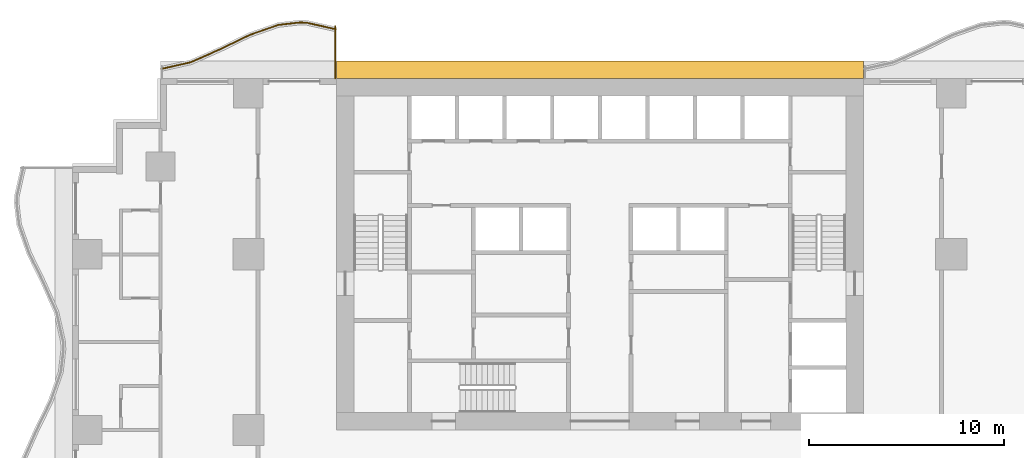
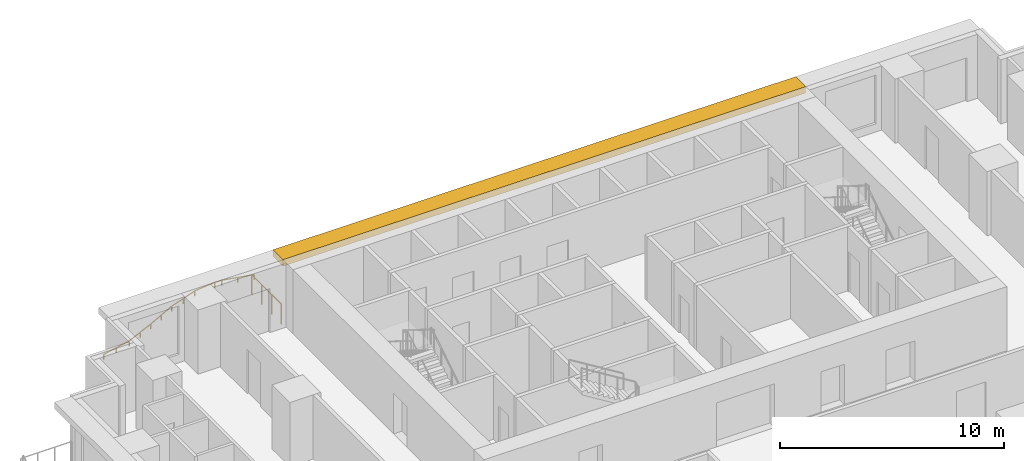
# One storey, part 13 of 14: 2 railings, 1 shading device.
"""IFC4 building model written with IfcOpenShell, lengths in metres."""

import ifcopenshell
import ifcopenshell.guid

model = None  # the IFC model being written
_history = None  # IfcOwnerHistory: only IFC2X3 demands one
_inside = {}  # id of a spatial element -> (the spatial element, [elements in it])
_under = {}  # id of a project, library or spatial element -> (it, [spatial elements below it])
_declared = {}  # id of a project -> (the project, [libraries it declares])
_typed = {}  # id of a type object -> (the type object, [elements of that type])
_made_of = {}  # id of a material, layer set ... -> (it, [elements and type objects made of it])


def new_model(schema):
    """Start an empty IFC model of exactly this schema.

    Asked for "IFC4X3", IfcOpenShell would pick the latest addendum, in which some entities
    have other attributes; the version numbers below select the first issue.
    IFC2X3 requires an IfcOwnerHistory on every rooted entity: one is made here for all.
    """
    global model, _history
    if schema == "IFC4X3":
        model = ifcopenshell.file(schema_version=(4, 3, 0, 0))
    else:
        model = ifcopenshell.file(schema=schema)
    _inside.clear()
    _under.clear()
    _declared.clear()
    _typed.clear()
    _made_of.clear()
    _history = None
    if model.schema == "IFC2X3":
        org = make("IfcOrganization", Name="unknown")
        user = make(
            "IfcPersonAndOrganization",
            ThePerson=make("IfcPerson", FamilyName="unknown"),
            TheOrganization=org,
        )
        app = make(
            "IfcApplication",
            ApplicationDeveloper=org,
            Version="unknown",
            ApplicationFullName="unknown",
            ApplicationIdentifier="unknown",
        )
        _history = make(
            "IfcOwnerHistory",
            OwningUser=user,
            OwningApplication=app,
            ChangeAction="ADDED",
            CreationDate=0,
        )
    return model


def make(cls, **values):
    """One entity of the class cls with the attributes given. An attribute that is None is left unset."""
    return model.create_entity(
        cls, **{name: value for name, value in values.items() if value is not None}
    )


def rooted(cls, **values):
    """An entity with a GlobalId (a new one), such as an element, a storey or a relation."""
    return make(cls, GlobalId=ifcopenshell.guid.new(), OwnerHistory=_history, **values)


def si_unit(unit_type, name, prefix=None):
    """IfcSIUnit, for example si_unit("LENGTHUNIT", "METRE", prefix="MILLI")."""
    return make("IfcSIUnit", UnitType=unit_type, Prefix=prefix, Name=name)


def assignment(units):
    """IfcUnitAssignment: the units of a project."""
    return None if units is None else make("IfcUnitAssignment", Units=units)


def point(xyz):
    """IfcCartesianPoint."""
    return None if xyz is None else make("IfcCartesianPoint", Coordinates=xyz)


def direction(xyz):
    """IfcDirection."""
    return None if xyz is None else make("IfcDirection", DirectionRatios=xyz)


def frame(location, z_axis=None, x_axis=None):
    """IfcAxis2Placement3D, a coordinate frame: its origin and axes. An axis left out is left unset."""
    return make(
        "IfcAxis2Placement3D",
        Location=point(location),
        Axis=direction(z_axis),
        RefDirection=direction(x_axis),
    )


def frame_2d(location, x_axis=None):
    """IfcAxis2Placement2D, a coordinate frame in the plane: its origin and x axis."""
    return make(
        "IfcAxis2Placement2D", Location=point(location), RefDirection=direction(x_axis)
    )


def origin():
    """The frame at (0, 0, 0) with its axes left unset."""
    return frame((0.0, 0.0, 0.0))


def origin_2d():
    """The frame at (0, 0) in the plane with its x axis left unset."""
    return frame_2d((0.0, 0.0))


def place(relative_to, where):
    """IfcLocalPlacement: puts the frame where relative to a parent placement (None: the world)."""
    return make(
        "IfcLocalPlacement", PlacementRelTo=relative_to, RelativePlacement=where
    )


def context(
    kind, dimensions, precision=None, world=None, true_north=None, identifier=None
):
    """IfcGeometricRepresentationContext, for example the 3D "Model" context."""
    return make(
        "IfcGeometricRepresentationContext",
        ContextIdentifier=identifier,
        ContextType=kind,
        CoordinateSpaceDimension=dimensions,
        Precision=precision,
        WorldCoordinateSystem=world,
        TrueNorth=true_north,
    )


def subcontext(parent, identifier, kind, view, scale=None):
    """IfcGeometricRepresentationSubContext, for example "Body" below "Model"."""
    return make(
        "IfcGeometricRepresentationSubContext",
        ContextIdentifier=identifier,
        ContextType=kind,
        ParentContext=parent,
        TargetScale=scale,
        TargetView=view,
    )


def project(units=None, contexts=None):
    """IfcProject with its units and contexts."""
    return rooted(
        "IfcProject",
        Name="project",
        RepresentationContexts=contexts,
        UnitsInContext=assignment(units),
    )


def spatial(cls, under=None, at=None, **own):
    """A site, building, storey or space (cls), placed at a placement, below another one or the project."""
    s = rooted(cls, ObjectPlacement=at, **own)
    if under is not None:
        _under.setdefault(under.id(), (under, []))[1].append(s)
    return s


def polyline(points):
    """IfcPolyline through the points."""
    return make("IfcPolyline", Points=[point(p) for p in points])


def profile(cls, at=None, kind="AREA", **sizes):
    """A parametric profile (cls). Its sizes go by their IFC names, for example OverallWidth=200.0."""
    return make(cls, ProfileType=kind, Position=at, **sizes)


def rectangle(**sizes):
    """IfcRectangleProfileDef."""
    return profile("IfcRectangleProfileDef", **sizes)


def outline(outer, holes=None, kind="AREA"):
    """IfcArbitraryClosedProfileDef: a profile drawn as a closed curve; with holes, ...WithVoids."""
    if holes is None:
        return make("IfcArbitraryClosedProfileDef", ProfileType=kind, OuterCurve=outer)
    return make(
        "IfcArbitraryProfileDefWithVoids",
        ProfileType=kind,
        OuterCurve=outer,
        InnerCurves=holes,
    )


def extrude(swept, where, along, depth):
    """IfcExtrudedAreaSolid: the profile swept, set in the frame where, extruded along a direction by depth."""
    return make(
        "IfcExtrudedAreaSolid",
        SweptArea=swept,
        Position=where,
        ExtrudedDirection=direction(along),
        Depth=depth,
    )


def shape(context_of_items, identifier, shape_type, items):
    """IfcShapeRepresentation: the items that make up one representation, for example the "Body"."""
    return make(
        "IfcShapeRepresentation",
        ContextOfItems=context_of_items,
        RepresentationIdentifier=identifier,
        RepresentationType=shape_type,
        Items=items,
    )


def material(Name=None, Category=None):
    """IfcMaterial."""
    return make("IfcMaterial", Name=Name, Category=Category)


def layer(
    of_material, thickness, ventilated=None, Name=None, Category=None, Priority=None
):
    """IfcMaterialLayer: one layer of a wall or slab, of a material (None: an air gap)."""
    return make(
        "IfcMaterialLayer",
        Material=of_material,
        LayerThickness=thickness,
        IsVentilated=ventilated,
        Name=Name,
        Category=Category,
        Priority=Priority,
    )


def layer_set(layers, Name=None):
    """IfcMaterialLayerSet."""
    return make("IfcMaterialLayerSet", MaterialLayers=layers, LayerSetName=Name)


def made_of(thing, what):
    """Note that an element or type object is made of a material, layer set ...; save() writes the relation."""
    if what is not None:
        _made_of.setdefault(what.id(), (what, []))[1].append(thing)
    return thing


def type_object(cls, material=None, **own):
    """A type object (cls), such as IfcWallType, which elements share."""
    return made_of(rooted(cls, **own), material)


def element(
    cls,
    number,
    at=None,
    inside=None,
    cuts=None,
    type_object=None,
    material=None,
    context=None,
    identifier="Body",
    shape_type=None,
    held_by="IfcProductDefinitionShape",
    body=None,
    shapes=None,
    **own,
):
    """One element of the class cls, such as IfcWall. Its Tag is "e" and its number.

    at: its placement. inside: the storey or other place that contains it. cuts: it is an
    opening in that element (IfcRelVoidsElement). A single representation is given by context,
    identifier, shape_type and body (its items); several are given by shapes. held_by: the class
    of the entity that holds the representations. save() writes the other relations.
    """
    e = rooted(cls, Tag="e%d" % number, ObjectPlacement=at, **own)
    if body is not None:
        shapes = [shape(context, identifier, shape_type, body)]
    if shapes is not None:
        e.Representation = make(held_by, Representations=shapes)
    if inside is not None:
        _inside.setdefault(inside.id(), (inside, []))[1].append(e)
    if cuts is not None:
        rooted(
            "IfcRelVoidsElement", RelatingBuildingElement=cuts, RelatedOpeningElement=e
        )
    if type_object is not None:
        _typed.setdefault(type_object.id(), (type_object, []))[1].append(e)
    return made_of(e, material)


def aggregate(whole, parts):
    """IfcRelAggregates: a whole, such as a stair, and the parts it consists of."""
    return rooted("IfcRelAggregates", RelatingObject=whole, RelatedObjects=parts)


def save(model, path):
    """Write the relations noted so far, then the file.

    IfcRelAggregates (storeys below a building ...), IfcRelContainedInSpatialStructure (elements
    in a storey), IfcRelDefinesByType, IfcRelAssociatesMaterial and IfcRelDeclares: one each for
    every whole, place, type object, material and project.
    """
    for whole, parts in _under.values():
        aggregate(whole, parts)
    for where, things in _inside.values():
        rooted(
            "IfcRelContainedInSpatialStructure",
            RelatedElements=things,
            RelatingStructure=where,
        )
    for kind, things in _typed.values():
        rooted("IfcRelDefinesByType", RelatedObjects=things, RelatingType=kind)
    for what, things in _made_of.values():
        rooted("IfcRelAssociatesMaterial", RelatedObjects=things, RelatingMaterial=what)
    for by, libraries in _declared.values():
        rooted("IfcRelDeclares", RelatingContext=by, RelatedDefinitions=libraries)
    model.write(path)


model = new_model("IFC4")

# Units and contexts
model_context = context("Model", 3, precision=1e-05, world=origin(), true_north=direction((0.0, 1.0)))
body_context = subcontext(model_context, "Body", "Model", "MODEL_VIEW")
ifc_project = project(units=[si_unit("LENGTHUNIT", "METRE"), si_unit("AREAUNIT", "SQUARE_METRE"), si_unit("VOLUMEUNIT", "CUBIC_METRE"), si_unit("PLANEANGLEUNIT", "RADIAN"), si_unit("MASSUNIT", "GRAM", prefix="KILO")], contexts=[model_context])

# Site, building, storey
site_placement = place(None, origin())
site = spatial("IfcSite", under=ifc_project, at=site_placement, CompositionType="ELEMENT")
building_placement = place(site_placement, origin())
building = spatial("IfcBuilding", under=site, at=building_placement, Name="Orbiselva Terraces", CompositionType="ELEMENT")
storey_placement = place(building_placement, frame((0.0, 0.0, 18.8)))
storey = spatial("IfcBuildingStorey", under=building, at=storey_placement, Name="L04", CompositionType="ELEMENT", Elevation=18.8)

# Railings
ifc_material_1 = material(Name="Bonded two-ply safety glass balustrade, stainless steel posts", Category="steel")
railing_type_1 = type_object("IfcRailingType", Name="ENV-BALUSTRADE-1200", PredefinedType="BALUSTRADE", material=ifc_material_1)
railing_1_placement = place(storey_placement, frame((-13.527377, 25.026563, 0.9)))
element("IfcRailing", 1, at=railing_1_placement, inside=storey, type_object=railing_type_1, Name="Balcony balustrade L04 NW", PredefinedType="BALUSTRADE", context=body_context, shape_type="SweptSolid", body=[
    extrude(outline(polyline([(0.028868, 0.0), (0.014434, 0.025), (-0.014434, 0.025), (-0.028868, 0.0), (-0.014434, -0.025), (0.014434, -0.025), (0.028868, 0.0)])), frame((0.0, 0.0, 0.275), z_axis=(-0.975721322437, 0.21901575501, 0.0), x_axis=(-0.21901575501, -0.975721322437, 0.0)), (0.0, 0.0, 1.0), 1.525954),
    extrude(outline(polyline([(0.028868, 0.0), (0.014434, 0.025), (-0.014434, 0.025), (-0.028868, 0.0), (-0.014434, -0.025), (0.014434, -0.025), (0.028868, 0.0)])), frame((-1.488906, 0.334208, 0.275), z_axis=(-0.999224931454, 0.039364150694, 0.0), x_axis=(-0.039364150694, -0.999224931454, 0.0)), (0.0, 0.0, 1.0), 0.354206),
    extrude(outline(polyline([(0.028868, 0.0), (0.014434, 0.025), (-0.014434, 0.025), (-0.028868, 0.0), (-0.014434, -0.025), (0.014434, -0.025), (0.028868, 0.0)])), frame((-1.842837, 0.348151, 0.275), z_axis=(-0.993309658409, -0.115481264762, 0.0), x_axis=(0.115481264762, -0.993309658409, 0.0)), (0.0, 0.0, 1.0), 1.10902),
    extrude(outline(polyline([(0.028868, 0.0), (0.014434, 0.025), (-0.014434, 0.025), (-0.028868, 0.0), (-0.014434, -0.025), (0.014434, -0.025), (0.028868, 0.0)])), frame((-2.944437, 0.22008, 0.275), z_axis=(-0.943972277814, -0.330024754707, 0.0), x_axis=(0.330024754707, -0.943972277814, 0.0)), (0.0, 0.0, 1.0), 1.567807),
    extrude(outline(polyline([(0.028868, 0.0), (0.014434, 0.025), (-0.014434, 0.025), (-0.028868, 0.0), (-0.014434, -0.025), (0.014434, -0.025), (0.028868, 0.0)])), frame((-4.424403, -0.297335, 0.275), z_axis=(-0.89857890432, -0.438811978768, 0.0), x_axis=(0.438811978768, -0.89857890432, 0.0)), (0.0, 0.0, 1.0), 1.66438),
    extrude(outline(polyline([(0.028868, 0.0), (0.014434, 0.025), (-0.014434, 0.025), (-0.028868, 0.0), (-0.014434, -0.025), (0.014434, -0.025), (0.028868, 0.0)])), frame((-5.91998, -1.027685, 0.275), z_axis=(-0.915133527237, -0.403150874148, 0.0), x_axis=(0.403150874148, -0.915133527237, 0.0)), (0.0, 0.0, 1.0), 1.653736),
    extrude(outline(polyline([(0.028868, 0.0), (0.014434, 0.025), (-0.014434, 0.025), (-0.028868, 0.0), (-0.014434, -0.025), (0.014434, -0.025), (0.028868, 0.0)])), frame((-7.433369, -1.69439, 0.275), z_axis=(-0.975721349543, -0.219015634252, 0.0), x_axis=(0.219015634252, -0.975721349543, 0.0)), (0.0, 0.0, 1.0), 1.549497),
    extrude(rectangle(XDim=0.05, YDim=0.05, at=origin_2d()), origin(), (0.0, 0.0, 1.0), 0.25),
    extrude(rectangle(XDim=0.05, YDim=0.05, at=origin_2d()), frame((-0.744453, 0.167104, 0.0)), (0.0, 0.0, 1.0), 0.25),
    extrude(rectangle(XDim=0.05, YDim=0.05, at=origin_2d()), frame((-1.488906, 0.334208, 0.0)), (0.0, 0.0, 1.0), 0.25),
    extrude(rectangle(XDim=0.05, YDim=0.05, at=origin_2d()), frame((-1.842837, 0.348151, 0.0)), (0.0, 0.0, 1.0), 0.25),
    extrude(rectangle(XDim=0.05, YDim=0.05, at=origin_2d()), frame((-2.944437, 0.22008, 0.0)), (0.0, 0.0, 1.0), 0.25),
    extrude(rectangle(XDim=0.05, YDim=0.05, at=origin_2d()), frame((-3.68442, -0.038628, 0.0)), (0.0, 0.0, 1.0), 0.25),
    extrude(rectangle(XDim=0.05, YDim=0.05, at=origin_2d()), frame((-4.424403, -0.297335, 0.0)), (0.0, 0.0, 1.0), 0.25),
    extrude(rectangle(XDim=0.05, YDim=0.05, at=origin_2d()), frame((-5.172192, -0.66251, 0.0)), (0.0, 0.0, 1.0), 0.25),
    extrude(rectangle(XDim=0.05, YDim=0.05, at=origin_2d()), frame((-5.91998, -1.027685, 0.0)), (0.0, 0.0, 1.0), 0.25),
    extrude(rectangle(XDim=0.05, YDim=0.05, at=origin_2d()), frame((-6.676675, -1.361037, 0.0)), (0.0, 0.0, 1.0), 0.25),
    extrude(rectangle(XDim=0.05, YDim=0.05, at=origin_2d()), frame((-7.433369, -1.69439, 0.0)), (0.0, 0.0, 1.0), 0.25),
    extrude(rectangle(XDim=0.05, YDim=0.05, at=origin_2d()), frame((-8.189308, -1.864072, 0.0)), (0.0, 0.0, 1.0), 0.25),
    extrude(rectangle(XDim=0.05, YDim=0.05, at=origin_2d()), frame((-8.945246, -2.033754, 0.0)), (0.0, 0.0, 1.0), 0.25),
])
ifc_material_2 = material(Name="Stainless steel rail and posts", Category="steel")
railing_type_2 = type_object("IfcRailingType", Name="ENV-GUARD-1105", PredefinedType="BALUSTRADE", material=ifc_material_2)
railing_2_placement = place(storey_placement, frame((-13.56, 25.169584, 0.0)))
element("IfcRailing", 2, at=railing_2_placement, inside=storey, type_object=railing_type_2, Name="Balcony end guard L04 NW", PredefinedType="BALUSTRADE", context=body_context, shape_type="SweptSolid", body=[
    extrude(outline(polyline([(0.028868, 0.0), (0.014434, 0.025), (-0.014434, 0.025), (-0.028868, 0.0), (-0.014434, -0.025), (0.014434, -0.025), (0.028868, 0.0)])), frame((0.0, 0.0, 1.08), z_axis=(0.0, -1.0, 0.0), x_axis=(1.0, 0.0, 0.0)), (0.0, 0.0, 1.0), 2.644584),
    extrude(rectangle(XDim=0.05, YDim=0.05, at=origin_2d()), origin(), (0.0, 0.0, 1.0), 1.055),
    extrude(rectangle(XDim=0.05, YDim=0.05, at=origin_2d()), frame((0.0, -0.881528, 0.0)), (0.0, 0.0, 1.0), 1.055),
    extrude(rectangle(XDim=0.05, YDim=0.05, at=origin_2d()), frame((0.0, -1.763056, 0.0)), (0.0, 0.0, 1.0), 1.055),
    extrude(rectangle(XDim=0.05, YDim=0.05, at=origin_2d()), frame((0.0, -2.644584, 0.0)), (0.0, 0.0, 1.0), 1.055),
])

# Shading device
ifc_material_3 = material(Name="Terracotta baguette sunshade", Category="masonry")
ifc_layer = layer(ifc_material_3, 0.35)
ifc_layer_set = layer_set([ifc_layer], Name="Terracotta baguette sunshade")
shading_device_type = type_object("IfcShadingDeviceType", Name="ENV-SUNSHADE-900x350", PredefinedType="USERDEFINED", material=ifc_layer_set)
shading_device_placement = place(storey_placement, frame((0.0, 0.0, 3.15)))
element("IfcShadingDevice", 3, at=shading_device_placement, inside=storey, type_object=shading_device_type, Name="Sunshade band L04 CORE NORTH", ObjectType="SUNSHADE", PredefinedType="USERDEFINED", context=body_context, shape_type="SweptSolid", body=[
    extrude(outline(polyline([(13.5, 23.4), (-13.5, 23.4), (-13.5, 22.5), (13.5, 22.5), (13.5, 23.4)])), origin(), (0.0, 0.0, 1.0), 0.35),
])

save(model, "model.ifc")
